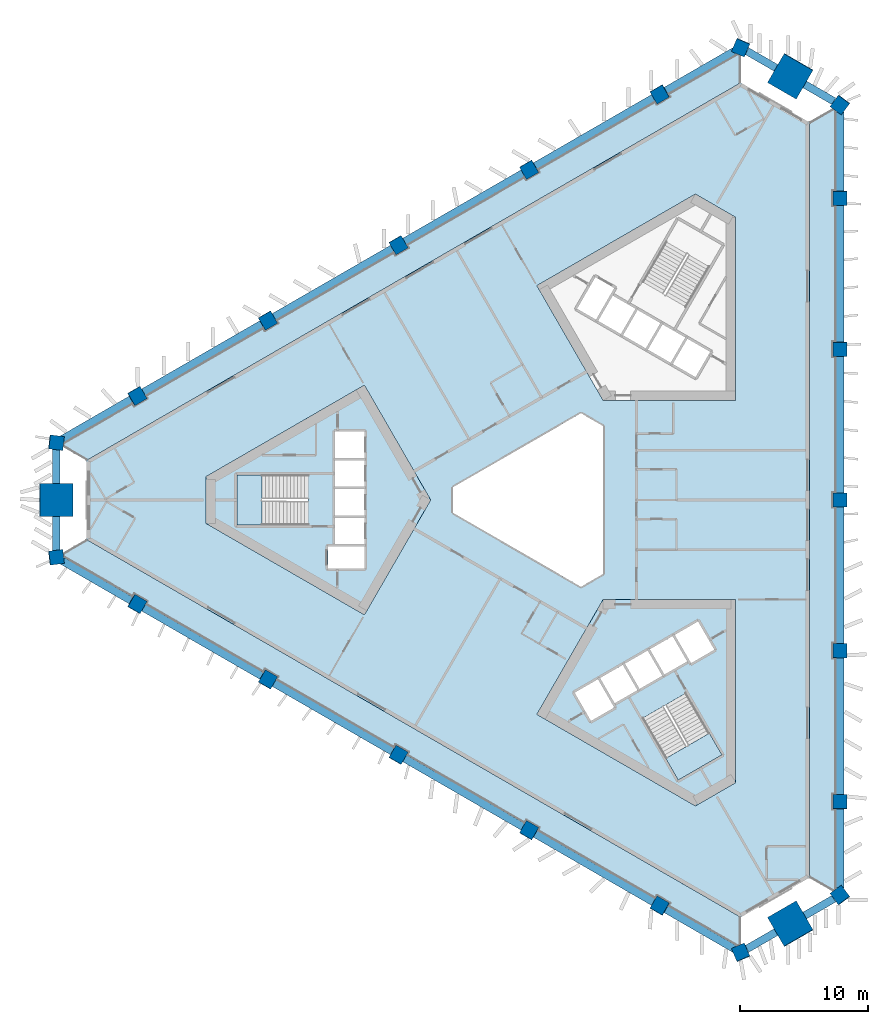
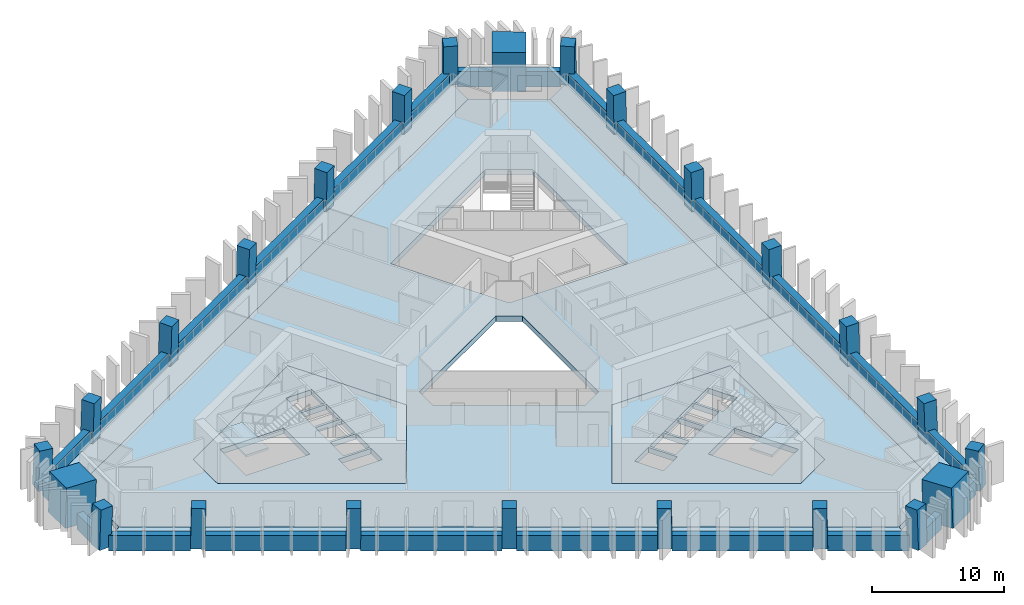
# One storey, part 1 of 11: 24 beams, 24 columns, 8 slabs, 2 elements without a shape of their own.
"""IFC4 building model written with IfcOpenShell, lengths in metres."""

from ifc_helpers import new_model, si_unit, direction, frame, origin, origin_2d, place, context, subcontext, project, spatial, polyline, rectangle, outline, extrude, material, layer, layer_set, material_profile, profile_set, type_object, element, aggregate, save


model = new_model("IFC4")

# Units and contexts
model_context = context("Model", 3, precision=1e-05, world=origin(), true_north=direction((0.0, 1.0)))
body_context = subcontext(model_context, "Body", "Model", "MODEL_VIEW")
ifc_project = project(units=[si_unit("LENGTHUNIT", "METRE"), si_unit("AREAUNIT", "SQUARE_METRE"), si_unit("VOLUMEUNIT", "CUBIC_METRE"), si_unit("PLANEANGLEUNIT", "RADIAN"), si_unit("MASSUNIT", "GRAM", prefix="KILO")], contexts=[model_context])

# Site, building, storey
site_placement = place(None, origin())
site = spatial("IfcSite", under=ifc_project, at=site_placement, CompositionType="ELEMENT")
building_placement = place(site_placement, origin())
building = spatial("IfcBuilding", under=site, at=building_placement, Name="Jabali Bay Hotel Tower and Convention Centre", CompositionType="ELEMENT")
storey_placement = place(building_placement, frame((0.0, 0.0, 79.5)))
storey = spatial("IfcBuildingStorey", under=building, at=storey_placement, Name="L18", CompositionType="ELEMENT", Elevation=79.5)

# Columns
ifc_material_1 = material(Name="Concrete C60", Category="concrete")
ifc_material_profile_1 = material_profile(ifc_material_1, rectangle(XDim=1.10009765625, YDim=1.10009765625, at=origin_2d()), Name="Frame column 1100")
ifc_profile_set_1 = profile_set([ifc_material_profile_1], Name="Concrete C60")
column_type_1 = type_object("IfcColumnType", Name="Frame column 1100", PredefinedType="COLUMN", material=ifc_profile_set_1)
column_1_placement = place(storey_placement, frame((83.933837890625, 111.774658203125, 0.0), z_axis=(-0.008376454378, -0.028163354484, 0.999568237028), x_axis=(0.86585218107, 0.499844611273, 0.021339285781)))
element("IfcColumn", 1, at=column_1_placement, inside=storey, type_object=column_type_1, Name="FC2 F1.1 L18", PredefinedType="COLUMN", context=body_context, shape_type="SweptSolid", body=[
    extrude(rectangle(XDim=1.10009765625, YDim=1.10009765625, at=origin_2d()), origin(), (0.0, 0.0, 1.0), 3.70166015625),
])
column_2_placement = place(storey_placement, frame((73.704345703125, 105.868408203125, 0.0), z_axis=(0.000857580205, -0.022758859284, 0.9997406158), x_axis=(0.866006049772, 0.499920354613, 0.010637706611)))
element("IfcColumn", 2, at=column_2_placement, inside=storey, type_object=column_type_1, Name="FC2 F1.2 L18", PredefinedType="COLUMN", context=body_context, shape_type="SweptSolid", body=[
    extrude(rectangle(XDim=1.10009765625, YDim=1.10009765625, at=origin_2d()), origin(), (0.0, 0.0, 1.0), 3.700927734375),
])
column_3_placement = place(storey_placement, frame((63.474609375, 99.96240234375, 0.0), z_axis=(0.010093620709, -0.017482414954, 0.999796221231), x_axis=(0.866020200589, 0.50000901209, 8.5616e-08)))
element("IfcColumn", 3, at=column_3_placement, inside=storey, type_object=column_type_1, Name="FC2 F1.3 L18", PredefinedType="COLUMN", context=body_context, shape_type="SweptSolid", body=[
    extrude(rectangle(XDim=1.10009765625, YDim=1.10009765625, at=origin_2d()), origin(), (0.0, 0.0, 1.0), 3.70068359375),
])
column_4_placement = place(storey_placement, frame((53.2451171875, 94.056396484375, 0.0), z_axis=(0.019328516974, -0.012138044789, 0.999739504221), x_axis=(-0.500214302693, 0.865666432488, 0.020181155676)))
element("IfcColumn", 4, at=column_4_placement, inside=storey, type_object=column_type_1, Name="FC2 F1.4 L18", PredefinedType="COLUMN", context=body_context, shape_type="SweptSolid", body=[
    extrude(rectangle(XDim=1.10009765625, YDim=1.10009765625, at=origin_2d()), origin(), (0.0, 0.0, 1.0), 3.700927734375),
])
for number, where, z_axis, x_axis, name in (
    (5, (43.015380859375, 88.150390625, 0.0), (0.028559101991, -0.006859460986, 0.999568569678), (-0.49850746064, 0.866650252321, 0.020190389752), "FC2 F1.5 L18"),
    (6, (43.015380859375, 71.849609375, 0.0), (0.028559101991, 0.006859460986, 0.999568569678), (-0.866414848315, 0.498869008806, 0.021331260469), "FC2 F2.1 L18"),
):
    element("IfcColumn", number, at=place(storey_placement, frame(where, z_axis=z_axis, x_axis=x_axis)), inside=storey, type_object=column_type_1, Name=name, PredefinedType="COLUMN", context=body_context, shape_type="SweptSolid", body=[
        extrude(rectangle(XDim=1.10009765625, YDim=1.10009765625, at=origin_2d()), origin(), (0.0, 0.0, 1.0), 3.70166015625),
    ])
column_5_placement = place(storey_placement, frame((53.2451171875, 65.943603515625, 0.0), z_axis=(0.019328516974, 0.012138044789, 0.999739504221), x_axis=(-0.865685889808, 0.500474070789, 0.010660424724)))
element("IfcColumn", 7, at=column_5_placement, inside=storey, type_object=column_type_1, Name="FC2 F2.2 L18", PredefinedType="COLUMN", context=body_context, shape_type="SweptSolid", body=[
    extrude(rectangle(XDim=1.10009765625, YDim=1.10009765625, at=origin_2d()), origin(), (0.0, 0.0, 1.0), 3.700927734375),
])
column_6_placement = place(storey_placement, frame((63.474609375, 60.03759765625, 0.0), z_axis=(0.010093620709, 0.017482414954, 0.999796221231), x_axis=(-0.499907122366, -0.865843723195, 0.020187025824)))
element("IfcColumn", 8, at=column_6_placement, inside=storey, type_object=column_type_1, Name="FC2 F2.3 L18", PredefinedType="COLUMN", context=body_context, shape_type="SweptSolid", body=[
    extrude(rectangle(XDim=1.10009765625, YDim=1.10009765625, at=origin_2d()), origin(), (0.0, 0.0, 1.0), 3.70068359375),
])
column_7_placement = place(storey_placement, frame((73.704345703125, 54.131591796875, 0.0), z_axis=(0.000857580205, 0.022758859284, 0.9997406158), x_axis=(-0.500032785239, -0.865772298799, 0.020138031626)))
element("IfcColumn", 9, at=column_7_placement, inside=storey, type_object=column_type_1, Name="FC2 F2.4 L18", PredefinedType="COLUMN", context=body_context, shape_type="SweptSolid", body=[
    extrude(rectangle(XDim=1.10009765625, YDim=1.10009765625, at=origin_2d()), origin(), (0.0, 0.0, 1.0), 3.700927734375),
])
for number, where, z_axis, x_axis, name in (
    (10, (83.933837890625, 48.225341796875, 0.0), (-0.008376454378, 0.028163354484, 0.999568237028), (-0.500229782748, -0.865657085713, 0.020198376324), "FC2 F2.5 L18"),
    (11, (98.050537109375, 56.375732421875, 0.0), (-0.020182659751, 0.021303918626, 0.999569308901), (0.000228267203, -0.99977282903, 0.021312865295), "FC2 F0.1 L18"),
):
    element("IfcColumn", number, at=place(storey_placement, frame(where, z_axis=z_axis, x_axis=x_axis)), inside=storey, type_object=column_type_1, Name=name, PredefinedType="COLUMN", context=body_context, shape_type="SweptSolid", body=[
        extrude(rectangle(XDim=1.10009765625, YDim=1.10009765625, at=origin_2d()), origin(), (0.0, 0.0, 1.0), 3.70166015625),
    ])
column_8_placement = place(storey_placement, frame((98.050537109375, 68.187744140625, 0.0), z_axis=(-0.020186088539, 0.010686752756, 0.999739123544), x_axis=(-0.001012906877, -0.999942577175, 0.010668475618)))
element("IfcColumn", 12, at=column_8_placement, inside=storey, type_object=column_type_1, Name="FC2 F0.2 L18", PredefinedType="COLUMN", context=body_context, shape_type="SweptSolid", body=[
    extrude(rectangle(XDim=1.10009765625, YDim=1.10009765625, at=origin_2d()), origin(), (0.0, 0.0, 1.0), 3.700927734375),
])
column_9_placement = place(storey_placement, frame((98.050537109375, 80.0, 0.0), z_axis=(-0.020187241331, 0.0, 0.99979621688), x_axis=(0.0, -1.0, 0.0)))
element("IfcColumn", 13, at=column_9_placement, inside=storey, type_object=column_type_1, Name="FC2 F0.3 L18", PredefinedType="COLUMN", context=body_context, shape_type="SweptSolid", body=[
    extrude(rectangle(XDim=1.10009765625, YDim=1.10009765625, at=origin_2d()), origin(), (0.0, 0.0, 1.0), 3.70068359375),
])
column_10_placement = place(storey_placement, frame((98.050537109375, 91.812255859375, 0.0), z_axis=(-0.020186088539, -0.010686752756, 0.999739123544), x_axis=(0.999795727061, 0.00079728784, 0.020195754082)))
element("IfcColumn", 14, at=column_10_placement, inside=storey, type_object=column_type_1, Name="FC2 F0.4 L18", PredefinedType="COLUMN", context=body_context, shape_type="SweptSolid", body=[
    extrude(rectangle(XDim=1.10009765625, YDim=1.10009765625, at=origin_2d()), origin(), (0.0, 0.0, 1.0), 3.700927734375),
])
column_11_placement = place(storey_placement, frame((98.050537109375, 103.624267578125, 0.0), z_axis=(-0.020182659751, -0.021303918626, 0.999569308901), x_axis=(0.999796283319, -0.000658319199, 0.020173211851)))
element("IfcColumn", 15, at=column_11_placement, inside=storey, type_object=column_type_1, Name="FC2 F0.5 L18", PredefinedType="COLUMN", context=body_context, shape_type="SweptSolid", body=[
    extrude(rectangle(XDim=1.10009765625, YDim=1.10009765625, at=origin_2d()), origin(), (0.0, 0.0, 1.0), 3.70166015625),
])
for number, where, z_axis, x_axis, name in (
    (16, (98.050537109375, 49.052001953125, 0.0), (-0.020178741915, 0.029015184452, 0.999375273581), (-0.802094256798, -0.597196363226, 0.001143223836), "FC2 V0 L18"),
    (17, (98.050537109375, 110.947998046875, 0.0), (-0.020178741915, -0.029015184452, 0.999375273581), (0.596856449732, 0.801570098507, 0.035323584095), "FC2 V1 L18"),
    (18, (90.2763671875, 115.4365234375, 0.0), (-0.014969213121, -0.031982680017, 0.999376320931), (0.91893353455, -0.394410768949, 0.001142110815), "FC2 V2 L18"),
    (19, (36.6728515625, 84.488525390625, 0.0), (0.03521388716, -0.002967462401, 0.999375393092), (-0.992608605853, 0.116106151425, 0.035320209326), "FC2 V3 L18"),
    (20, (36.6728515625, 75.511474609375, 0.0), (0.03521388716, 0.002967462401, 0.999375393092), (-0.116138442114, 0.993232377527, 0.001143020198), "FC2 V4 L18"),
    (21, (90.2763671875, 44.5634765625, 0.0), (-0.014969213121, 0.031982680017, 0.999376320931), (0.394128255443, -0.918377511438, 0.03529397605), "FC2 V5 L18"),
):
    element("IfcColumn", number, at=place(storey_placement, frame(where, z_axis=z_axis, x_axis=x_axis)), inside=storey, type_object=column_type_1, Name=name, PredefinedType="COLUMN", context=body_context, shape_type="SweptSolid", body=[
        extrude(rectangle(XDim=1.10009765625, YDim=1.10009765625, at=origin_2d()), origin(), (0.0, 0.0, 1.0), 3.7021484375),
    ])
ifc_material_2 = material(Name="Concrete C70", Category="concrete")
ifc_material_profile_2 = material_profile(ifc_material_2, rectangle(XDim=2.60009765625, YDim=2.60009765625, at=origin_2d()), Name="Mega column 2600")
ifc_profile_set_2 = profile_set([ifc_material_profile_2], Name="Concrete C70")
column_type_2 = type_object("IfcColumnType", Name="Mega column 2600", PredefinedType="COLUMN", material=ifc_profile_set_2)
for number, where, z_axis, x_axis, name in (
    (22, (94.16357421875, 113.192138671875, 0.0), (-0.017607037296, -0.030466109479, 0.999380712447), (0.500064653071, 0.865272876704, 0.035187946645), "MC2 M1 L18"),
    (23, (36.6728515625, 80.0, 0.0), (0.035214042205, 0.0, 0.999379793288), (0.0, 1.0, 0.0), "MC2 M0 L18"),
    (24, (94.16357421875, 46.807861328125, 0.0), (-0.017607037296, 0.030466109479, 0.999380712447), (0.500061328599, -0.865274797998, 0.035187946645), "MC2 M2 L18"),
):
    element("IfcColumn", number, at=place(storey_placement, frame(where, z_axis=z_axis, x_axis=x_axis)), inside=storey, type_object=column_type_2, Name=name, PredefinedType="COLUMN", context=body_context, shape_type="SweptSolid", body=[
        extrude(rectangle(XDim=2.60009765625, YDim=2.60009765625, at=origin_2d()), origin(), (0.0, 0.0, 1.0), 3.7021484375),
    ])

# Beams
ifc_material_profile_3 = material_profile(ifc_material_1, rectangle(XDim=0.60009765625, YDim=1.449951171875, at=origin_2d()), Name="Spandrel 600x1450")
ifc_profile_set_3 = profile_set([ifc_material_profile_3], Name="Concrete C60")
beam_type = type_object("IfcBeamType", Name="Spandrel 600x1450", PredefinedType="SPANDREL", material=ifc_profile_set_3)
beam_1_placement = place(storey_placement, frame((93.031005859375, 113.830810546875, 0.375), z_axis=(-0.866029884062, 0.499992239852, 0.0), x_axis=(-0.499992239852, -0.866029884062, 0.0)))
element("IfcBeam", 25, at=beam_1_placement, inside=storey, type_object=beam_type, Name="Spandrel M1-V2 L18", PredefinedType="SPANDREL", context=body_context, shape_type="SweptSolid", body=[
    extrude(rectangle(XDim=0.60009765625, YDim=1.449951171875, at=origin_2d()), origin(), (0.0, 0.0, 1.0), 2.63720703125),
])
beam_2_placement = place(storey_placement, frame((89.79443359375, 115.1494140625, 0.375), z_axis=(-0.866032003946, -0.49998856801, 0.0), x_axis=(0.49998856801, -0.866032003946, 0.0)))
element("IfcBeam", 26, at=beam_2_placement, inside=storey, type_object=beam_type, Name="Spandrel V2-F1.1 L18", PredefinedType="SPANDREL", context=body_context, shape_type="SweptSolid", body=[
    extrude(rectangle(XDim=0.60009765625, YDim=1.449951171875, at=origin_2d()), origin(), (0.0, 0.0, 1.0), 6.220947265625),
])
beam_3_placement = place(storey_placement, frame((83.45458984375, 111.489013671875, 0.375), z_axis=(-0.866031820522, -0.499988885719, 0.0), x_axis=(0.499988885719, -0.866031820522, 0.0)))
element("IfcBeam", 27, at=beam_3_placement, inside=storey, type_object=beam_type, Name="Spandrel F1.1-F1.2 L18", PredefinedType="SPANDREL", context=body_context, shape_type="SweptSolid", body=[
    extrude(rectangle(XDim=0.60009765625, YDim=1.449951171875, at=origin_2d()), origin(), (0.0, 0.0, 1.0), 10.708251953125),
])
beam_4_placement = place(storey_placement, frame((73.228271484375, 105.5849609375, 0.375), z_axis=(-0.866026120779, -0.499998758127, 0.0), x_axis=(0.499998758127, -0.866026120779, 0.0)))
element("IfcBeam", 28, at=beam_4_placement, inside=storey, type_object=beam_type, Name="Spandrel F1.2-F1.3 L18", PredefinedType="SPANDREL", context=body_context, shape_type="SweptSolid", body=[
    extrude(rectangle(XDim=0.60009765625, YDim=1.449951171875, at=origin_2d()), origin(), (0.0, 0.0, 1.0), 10.7080078125),
])
beam_5_placement = place(storey_placement, frame((63.002197265625, 99.680908203125, 0.375), z_axis=(-0.866031820522, -0.499988885719, 0.0), x_axis=(0.499988885719, -0.866031820522, 0.0)))
element("IfcBeam", 29, at=beam_5_placement, inside=storey, type_object=beam_type, Name="Spandrel F1.3-F1.4 L18", PredefinedType="SPANDREL", context=body_context, shape_type="SweptSolid", body=[
    extrude(rectangle(XDim=0.60009765625, YDim=1.449951171875, at=origin_2d()), origin(), (0.0, 0.0, 1.0), 10.708251953125),
])
beam_6_placement = place(storey_placement, frame((52.77587890625, 93.77685546875, 0.375), z_axis=(-0.866026120779, -0.499998758127, 0.0), x_axis=(0.499998758127, -0.866026120779, 0.0)))
element("IfcBeam", 30, at=beam_6_placement, inside=storey, type_object=beam_type, Name="Spandrel F1.4-F1.5 L18", PredefinedType="SPANDREL", context=body_context, shape_type="SweptSolid", body=[
    extrude(rectangle(XDim=0.60009765625, YDim=1.449951171875, at=origin_2d()), origin(), (0.0, 0.0, 1.0), 10.7080078125),
])
beam_7_placement = place(storey_placement, frame((42.5498046875, 87.872802734375, 0.375), z_axis=(-0.866015010208, -0.50001800177, 0.0), x_axis=(0.50001800177, -0.866015010208, 0.0)))
element("IfcBeam", 31, at=beam_7_placement, inside=storey, type_object=beam_type, Name="Spandrel F1.5-V3 L18", PredefinedType="SPANDREL", context=body_context, shape_type="SweptSolid", body=[
    extrude(rectangle(XDim=0.60009765625, YDim=1.449951171875, at=origin_2d()), origin(), (0.0, 0.0, 1.0), 6.220947265625),
])
for number, where, z_axis, x_axis, name in (
    (32, (36.68603515625, 83.937255859375, 0.375), (0.0, -1.0, 0.0), (1.0, 0.0, 0.0), "Spandrel V3-M0 L18"),
    (33, (36.68603515625, 78.699951171875, 0.375), (0.0, -1.0, 0.0), (1.0, 0.0, 0.0), "Spandrel M0-V4 L18"),
):
    element("IfcBeam", number, at=place(storey_placement, frame(where, z_axis=z_axis, x_axis=x_axis)), inside=storey, type_object=beam_type, Name=name, PredefinedType="SPANDREL", context=body_context, shape_type="SweptSolid", body=[
        extrude(rectangle(XDim=0.60009765625, YDim=1.449951171875, at=origin_2d()), origin(), (0.0, 0.0, 1.0), 2.63720703125),
    ])
beam_8_placement = place(storey_placement, frame((37.162353515625, 75.23779296875, 0.375), z_axis=(0.866015010208, -0.50001800177, 0.0), x_axis=(0.50001800177, 0.866015010208, 0.0)))
element("IfcBeam", 34, at=beam_8_placement, inside=storey, type_object=beam_type, Name="Spandrel V4-F2.1 L18", PredefinedType="SPANDREL", context=body_context, shape_type="SweptSolid", body=[
    extrude(rectangle(XDim=0.60009765625, YDim=1.449951171875, at=origin_2d()), origin(), (0.0, 0.0, 1.0), 6.220947265625),
])
beam_9_placement = place(storey_placement, frame((43.50244140625, 71.5771484375, 0.375), z_axis=(0.866026120779, -0.499998758127, 0.0), x_axis=(0.499998758127, 0.866026120779, 0.0)))
element("IfcBeam", 35, at=beam_9_placement, inside=storey, type_object=beam_type, Name="Spandrel F2.1-F2.2 L18", PredefinedType="SPANDREL", context=body_context, shape_type="SweptSolid", body=[
    extrude(rectangle(XDim=0.60009765625, YDim=1.449951171875, at=origin_2d()), origin(), (0.0, 0.0, 1.0), 10.7080078125),
])
beam_10_placement = place(storey_placement, frame((53.728515625, 65.673095703125, 0.375), z_axis=(0.866031820522, -0.499988885719, 0.0), x_axis=(0.499988885719, 0.866031820522, 0.0)))
element("IfcBeam", 36, at=beam_10_placement, inside=storey, type_object=beam_type, Name="Spandrel F2.2-F2.3 L18", PredefinedType="SPANDREL", context=body_context, shape_type="SweptSolid", body=[
    extrude(rectangle(XDim=0.60009765625, YDim=1.449951171875, at=origin_2d()), origin(), (0.0, 0.0, 1.0), 10.708251953125),
])
beam_11_placement = place(storey_placement, frame((63.954833984375, 59.76904296875, 0.375), z_axis=(0.866026120779, -0.499998758127, 0.0), x_axis=(0.499998758127, 0.866026120779, 0.0)))
element("IfcBeam", 37, at=beam_11_placement, inside=storey, type_object=beam_type, Name="Spandrel F2.3-F2.4 L18", PredefinedType="SPANDREL", context=body_context, shape_type="SweptSolid", body=[
    extrude(rectangle(XDim=0.60009765625, YDim=1.449951171875, at=origin_2d()), origin(), (0.0, 0.0, 1.0), 10.7080078125),
])
beam_12_placement = place(storey_placement, frame((74.180908203125, 53.864990234375, 0.375), z_axis=(0.866031820522, -0.499988885719, 0.0), x_axis=(0.499988885719, 0.866031820522, 0.0)))
element("IfcBeam", 38, at=beam_12_placement, inside=storey, type_object=beam_type, Name="Spandrel F2.4-F2.5 L18", PredefinedType="SPANDREL", context=body_context, shape_type="SweptSolid", body=[
    extrude(rectangle(XDim=0.60009765625, YDim=1.449951171875, at=origin_2d()), origin(), (0.0, 0.0, 1.0), 10.708251953125),
])
beam_13_placement = place(storey_placement, frame((84.406982421875, 47.9609375, 0.375), z_axis=(0.866032003946, -0.49998856801, 0.0), x_axis=(0.49998856801, 0.866032003946, 0.0)))
element("IfcBeam", 39, at=beam_13_placement, inside=storey, type_object=beam_type, Name="Spandrel F2.5-V5 L18", PredefinedType="SPANDREL", context=body_context, shape_type="SweptSolid", body=[
    extrude(rectangle(XDim=0.60009765625, YDim=1.449951171875, at=origin_2d()), origin(), (0.0, 0.0, 1.0), 6.220947265625),
])
for number, where, z_axis, x_axis, name in (
    (40, (90.7470703125, 44.8505859375, 0.375), (0.866029884062, 0.499992239852, 0.0), (-0.499992239852, 0.866029884062, 0.0), "Spandrel V5-M2 L18"),
    (41, (95.28271484375, 47.46923828125, 0.375), (0.866029884062, 0.499992239852, 0.0), (-0.499992239852, 0.866029884062, 0.0), "Spandrel M2-V0 L18"),
):
    element("IfcBeam", number, at=place(storey_placement, frame(where, z_axis=z_axis, x_axis=x_axis)), inside=storey, type_object=beam_type, Name=name, PredefinedType="SPANDREL", context=body_context, shape_type="SweptSolid", body=[
        extrude(rectangle(XDim=0.60009765625, YDim=1.449951171875, at=origin_2d()), origin(), (0.0, 0.0, 1.0), 2.63720703125),
    ])
beam_14_placement = place(storey_placement, frame((98.04296875, 49.61279296875, 0.375), z_axis=(0.0, 1.0, 0.0), x_axis=(-1.0, 0.0, 0.0)))
element("IfcBeam", 42, at=beam_14_placement, inside=storey, type_object=beam_type, Name="Spandrel V0-F0.1 L18", PredefinedType="SPANDREL", context=body_context, shape_type="SweptSolid", body=[
    extrude(rectangle(XDim=0.60009765625, YDim=1.449951171875, at=origin_2d()), origin(), (0.0, 0.0, 1.0), 6.220947265625),
])
beam_15_placement = place(storey_placement, frame((98.04296875, 56.93359375, 0.375), z_axis=(0.0, 1.0, 0.0), x_axis=(-1.0, 0.0, 0.0)))
element("IfcBeam", 43, at=beam_15_placement, inside=storey, type_object=beam_type, Name="Spandrel F0.1-F0.2 L18", PredefinedType="SPANDREL", context=body_context, shape_type="SweptSolid", body=[
    extrude(rectangle(XDim=0.60009765625, YDim=1.449951171875, at=origin_2d()), origin(), (0.0, 0.0, 1.0), 10.708251953125),
])
for number, where, z_axis, x_axis, name in (
    (44, (98.04296875, 68.741943359375, 0.375), (0.0, 1.0, 0.0), (-1.0, 0.0, 0.0), "Spandrel F0.2-F0.3 L18"),
    (45, (98.04296875, 80.550048828125, 0.375), (0.0, 1.0, 0.0), (-1.0, 0.0, 0.0), "Spandrel F0.3-F0.4 L18"),
):
    element("IfcBeam", number, at=place(storey_placement, frame(where, z_axis=z_axis, x_axis=x_axis)), inside=storey, type_object=beam_type, Name=name, PredefinedType="SPANDREL", context=body_context, shape_type="SweptSolid", body=[
        extrude(rectangle(XDim=0.60009765625, YDim=1.449951171875, at=origin_2d()), origin(), (0.0, 0.0, 1.0), 10.7080078125),
    ])
beam_16_placement = place(storey_placement, frame((98.04296875, 92.358154296875, 0.375), z_axis=(0.0, 1.0, 0.0), x_axis=(-1.0, 0.0, 0.0)))
element("IfcBeam", 46, at=beam_16_placement, inside=storey, type_object=beam_type, Name="Spandrel F0.4-F0.5 L18", PredefinedType="SPANDREL", context=body_context, shape_type="SweptSolid", body=[
    extrude(rectangle(XDim=0.60009765625, YDim=1.449951171875, at=origin_2d()), origin(), (0.0, 0.0, 1.0), 10.708251953125),
])
beam_17_placement = place(storey_placement, frame((98.04296875, 104.166259765625, 0.375), z_axis=(0.0, 1.0, 0.0), x_axis=(-1.0, 0.0, 0.0)))
element("IfcBeam", 47, at=beam_17_placement, inside=storey, type_object=beam_type, Name="Spandrel F0.5-V1 L18", PredefinedType="SPANDREL", context=body_context, shape_type="SweptSolid", body=[
    extrude(rectangle(XDim=0.60009765625, YDim=1.449951171875, at=origin_2d()), origin(), (0.0, 0.0, 1.0), 6.220947265625),
])
beam_18_placement = place(storey_placement, frame((97.566650390625, 111.212158203125, 0.375), z_axis=(-0.866029884062, 0.499992239852, 0.0), x_axis=(-0.499992239852, -0.866029884062, 0.0)))
element("IfcBeam", 48, at=beam_18_placement, inside=storey, type_object=beam_type, Name="Spandrel V1-M1 L18", PredefinedType="SPANDREL", context=body_context, shape_type="SweptSolid", body=[
    extrude(rectangle(XDim=0.60009765625, YDim=1.449951171875, at=origin_2d()), origin(), (0.0, 0.0, 1.0), 2.63720703125),
])

# Slabs
ifc_material_3 = material(Name="Concrete C40", Category="concrete")
ifc_layer_1 = layer(ifc_material_3, 0.5)
ifc_layer_set_1 = layer_set([ifc_layer_1], Name="Concrete C40")
slab_type_1 = type_object("IfcSlabType", Name="Core floor slab 500", PredefinedType="FLOOR", material=ifc_layer_set_1)
slab_1_placement = place(storey_placement, frame((0.0, 0.0, -0.5)))
element("IfcSlab", 49, at=slab_1_placement, inside=storey, type_object=slab_type_1, Name="Core floor slab 1 L18", PredefinedType="FLOOR", context=body_context, shape_type="SweptSolid", body=[
    extrude(outline(polyline([(66.0, 80.0), (60.81005859375, 88.9892578125), (48.39697265625, 81.82275390625), (48.39697265625, 78.17724609375), (60.81005859375, 71.0107421875), (66.0, 80.0)]), holes=[polyline([(60.800048828125, 74.64990234375), (60.800048828125, 76.35009765625), (57.949951171875, 76.35009765625), (57.949951171875, 74.64990234375), (60.800048828125, 74.64990234375)]), polyline([(58.52001953125, 76.550048828125), (60.800048828125, 76.550048828125), (60.800048828125, 78.60009765625), (58.52001953125, 78.60009765625), (58.52001953125, 76.550048828125)]), polyline([(58.52001953125, 78.800048828125), (60.800048828125, 78.800048828125), (60.800048828125, 80.85009765625), (58.52001953125, 80.85009765625), (58.52001953125, 78.800048828125)]), polyline([(56.409912109375, 81.97509765625), (50.820068359375, 81.97509765625), (50.820068359375, 78.02490234375), (56.409912109375, 78.02490234375), (56.409912109375, 81.97509765625)]), polyline([(58.52001953125, 81.050048828125), (60.800048828125, 81.050048828125), (60.800048828125, 83.10009765625), (58.52001953125, 83.10009765625), (58.52001953125, 81.050048828125)]), polyline([(58.52001953125, 83.300048828125), (60.800048828125, 83.300048828125), (60.800048828125, 85.35009765625), (58.52001953125, 85.35009765625), (58.52001953125, 83.300048828125)])]), origin(), (0.0, 0.0, 1.0), 0.5),
])
slab_2_placement = place(storey_placement, frame((0.0, 0.0, -0.5)))
element("IfcSlab", 50, at=slab_2_placement, inside=storey, type_object=slab_type_1, Name="Core floor slab 3 L18", PredefinedType="FLOOR", context=body_context, shape_type="SweptSolid", body=[
    extrude(outline(polyline([(79.5, 72.205810546875), (74.31005859375, 63.21630859375), (86.72314453125, 56.0498046875), (89.8798828125, 57.872314453125), (89.8798828125, 72.205810546875), (79.5, 72.205810546875)]), holes=[polyline([(82.584716796875, 62.9130859375), (85.379638671875, 58.072021484375), (88.80029296875, 60.047119140625), (86.00537109375, 64.88818359375), (82.584716796875, 62.9130859375)]), polyline([(80.365478515625, 63.756591796875), (79.090576171875, 65.96484375), (77.27197265625, 64.9150390625), (78.546875, 62.70654296875), (80.365478515625, 63.756591796875)]), polyline([(82.17919921875, 65.115478515625), (81.0390625, 67.08984375), (79.263671875, 66.06494140625), (80.40380859375, 64.09033203125), (82.17919921875, 65.115478515625)]), polyline([(82.98779296875, 68.21484375), (81.21240234375, 67.18994140625), (82.352294921875, 65.21533203125), (84.127685546875, 66.240478515625), (82.98779296875, 68.21484375)]), polyline([(86.076171875, 67.365478515625), (84.936279296875, 69.33984375), (83.160888671875, 68.31494140625), (84.30078125, 66.34033203125), (86.076171875, 67.365478515625)]), polyline([(88.203125, 68.281494140625), (86.927978515625, 70.489990234375), (85.109375, 69.43994140625), (86.384521484375, 67.231689453125), (88.203125, 68.281494140625)])]), origin(), (0.0, 0.0, 1.0), 0.5),
])
ifc_layer_2 = layer(ifc_material_3, 0.199951171875)
ifc_layer_set_2 = layer_set([ifc_layer_2], Name="Concrete C40")
slab_type_2 = type_object("IfcSlabType", Name="Loggia slab 200", PredefinedType="FLOOR", material=ifc_layer_set_2)
slab_3_placement = place(storey_placement, frame((0.0, 0.0, -0.199951171875)))
element("IfcSlab", 51, at=slab_3_placement, inside=storey, type_object=slab_type_2, Name="Loggia slab east face L18", PredefinedType="FLOOR", context=body_context, shape_type="SweptSolid", body=[
    extrude(outline(polyline([(95.650634765625, 109.5625), (97.531982421875, 110.648681640625), (97.750732421875, 110.485595703125), (97.750732421875, 104.17431640625), (97.500732421875, 104.17431640625), (97.500732421875, 103.07421875), (97.750732421875, 103.07421875), (97.750732421875, 92.362060546875), (97.500732421875, 92.362060546875), (97.500732421875, 91.26220703125), (97.750732421875, 91.26220703125), (97.750732421875, 80.550048828125), (97.500732421875, 80.550048828125), (97.500732421875, 79.449951171875), (97.750732421875, 79.449951171875), (97.750732421875, 68.73779296875), (97.500732421875, 68.73779296875), (97.500732421875, 67.637939453125), (97.750732421875, 67.637939453125), (97.750732421875, 56.92578125), (97.500732421875, 56.92578125), (97.500732421875, 55.82568359375), (97.750732421875, 55.82568359375), (97.750732421875, 49.514404296875), (97.531982421875, 49.351318359375), (95.650634765625, 50.4375), (95.650634765625, 109.5625)])), origin(), (0.0, 0.0, 1.0), 0.199951171875),
])
slab_4_placement = place(storey_placement, frame((0.0, 0.0, -0.199951171875)))
element("IfcSlab", 52, at=slab_4_placement, inside=storey, type_object=slab_type_2, Name="Loggia slab north-west face L18", PredefinedType="FLOOR", context=body_context, shape_type="SweptSolid", body=[
    extrude(outline(polyline([(39.072998046875, 83.102783203125), (37.191650390625, 84.18896484375), (37.223388671875, 84.459716796875), (42.689208984375, 87.615478515625), (42.814208984375, 87.39892578125), (43.766845703125, 87.948974609375), (43.641845703125, 88.16552734375), (52.918701171875, 93.521484375), (53.043701171875, 93.30517578125), (53.996337890625, 93.85498046875), (53.871337890625, 94.071533203125), (63.1484375, 99.427734375), (63.2734375, 99.211181640625), (64.22607421875, 99.76123046875), (64.10107421875, 99.9775390625), (73.3779296875, 105.333740234375), (73.5029296875, 105.1171875), (74.45556640625, 105.667236328125), (74.33056640625, 105.8837890625), (83.607666015625, 111.23974609375), (83.732666015625, 111.023193359375), (84.685302734375, 111.5732421875), (84.560302734375, 111.789794921875), (90.026123046875, 114.945556640625), (90.2763671875, 114.837646484375), (90.2763671875, 112.665283203125), (39.072998046875, 83.102783203125)])), origin(), (0.0, 0.0, 1.0), 0.199951171875),
])
slab_5_placement = place(storey_placement, frame((0.0, 0.0, -0.199951171875)))
element("IfcSlab", 53, at=slab_5_placement, inside=storey, type_object=slab_type_2, Name="Loggia slab south-west face L18", PredefinedType="FLOOR", context=body_context, shape_type="SweptSolid", body=[
    extrude(outline(polyline([(90.2763671875, 47.334716796875), (90.2763671875, 45.162353515625), (90.026123046875, 45.054443359375), (84.560302734375, 48.210205078125), (84.685302734375, 48.4267578125), (83.732666015625, 48.976806640625), (83.607666015625, 48.76025390625), (74.33056640625, 54.1162109375), (74.45556640625, 54.332763671875), (73.5029296875, 54.8828125), (73.3779296875, 54.666259765625), (64.10107421875, 60.0224609375), (64.22607421875, 60.23876953125), (63.2734375, 60.788818359375), (63.1484375, 60.572265625), (53.871337890625, 65.928466796875), (53.996337890625, 66.14501953125), (53.043701171875, 66.69482421875), (52.918701171875, 66.478515625), (43.641845703125, 71.83447265625), (43.766845703125, 72.051025390625), (42.814208984375, 72.60107421875), (42.689208984375, 72.384521484375), (37.223388671875, 75.540283203125), (37.191650390625, 75.81103515625), (39.072998046875, 76.897216796875), (90.2763671875, 47.334716796875)])), origin(), (0.0, 0.0, 1.0), 0.199951171875),
])
ifc_layer_3 = layer(ifc_material_3, 0.5)
ifc_layer_set_3 = layer_set([ifc_layer_3], Name="Concrete C40")
slab_type_3 = type_object("IfcSlabType", Name="Post-tensioned flat slab 500", PredefinedType="FLOOR", material=ifc_layer_set_3)
slab_6_placement = place(storey_placement, frame((0.0, 0.0, -0.5)))
element("IfcSlab", 54, at=slab_6_placement, inside=storey, type_object=slab_type_3, Name="Floor slab L18", PredefinedType="FLOOR", context=body_context, shape_type="SweptSolid", body=[
    extrude(outline(polyline([(90.2763671875, 112.665283203125), (95.650634765625, 109.5625), (95.650634765625, 50.4375), (90.2763671875, 47.334716796875), (39.072998046875, 76.897216796875), (39.072998046875, 83.102783203125), (90.2763671875, 112.665283203125)]), holes=[polyline([(67.73193359375, 79.0), (77.76806640625, 73.205810546875), (79.5, 74.205810546875), (79.5, 85.794189453125), (77.76806640625, 86.794189453125), (67.73193359375, 81.0), (67.73193359375, 79.0)]), polyline([(48.39697265625, 78.17724609375), (60.81005859375, 71.0107421875), (66.0, 80.0), (60.81005859375, 88.9892578125), (48.39697265625, 81.82275390625), (48.39697265625, 78.17724609375)]), polyline([(89.8798828125, 102.127685546875), (86.72314453125, 103.9501953125), (74.31005859375, 96.78369140625), (79.5, 87.794189453125), (89.8798828125, 87.794189453125), (89.8798828125, 102.127685546875)]), polyline([(74.31005859375, 63.21630859375), (86.72314453125, 56.0498046875), (89.8798828125, 57.872314453125), (89.8798828125, 72.205810546875), (79.5, 72.205810546875), (74.31005859375, 63.21630859375)])]), origin(), (0.0, 0.0, 1.0), 0.5),
])

# Stair, slab
stair_type = type_object("IfcStairType", Name="Exit stair 1900", PredefinedType="HALF_TURN_STAIR", material=ifc_material_3)
stair_1_placement = place(storey_placement, origin())
stair_1 = element("IfcStair", 55, at=stair_1_placement, inside=storey, type_object=stair_type, Name="L18 Exit Stair 1", PredefinedType="HALF_TURN_STAIR")
ifc_layer_4 = layer(ifc_material_3, 0.199951171875)
ifc_layer_set_4 = layer_set([ifc_layer_4], Name="Concrete C40")
slab_type_4 = type_object("IfcSlabType", Name="Stair landing 200", PredefinedType="LANDING", material=ifc_layer_set_4)
slab_7_placement = place(storey_placement, frame((0.0, 0.0, 1.64990234375)))
slab_7 = element("IfcSlab", 56, at=slab_7_placement, type_object=slab_type_4, Name="ST1 landing 1", PredefinedType="LANDING", context=body_context, shape_type="SweptSolid", body=[
    extrude(outline(polyline([(52.782958984375, 81.97509765625), (50.820068359375, 81.97509765625), (50.820068359375, 78.02490234375), (52.782958984375, 78.02490234375), (52.782958984375, 81.97509765625)])), origin(), (0.0, 0.0, 1.0), 0.2001953125),
])
aggregate(stair_1, [slab_7])

stair_2_placement = place(storey_placement, origin())
stair_2 = element("IfcStair", 57, at=stair_2_placement, inside=storey, type_object=stair_type, Name="L18 Exit Stair 3", PredefinedType="HALF_TURN_STAIR")
slab_8_placement = place(storey_placement, frame((0.0, 0.0, 1.64990234375)))
slab_8 = element("IfcSlab", 58, at=slab_8_placement, type_object=slab_type_4, Name="ST3 landing 1", PredefinedType="LANDING", context=body_context, shape_type="SweptSolid", body=[
    extrude(outline(polyline([(84.398193359375, 59.77197265625), (85.379638671875, 58.072021484375), (88.80029296875, 60.047119140625), (87.81884765625, 61.7470703125), (84.398193359375, 59.77197265625)])), origin(), (0.0, 0.0, 1.0), 0.2001953125),
])
aggregate(stair_2, [slab_8])

save(model, "model.ifc")
